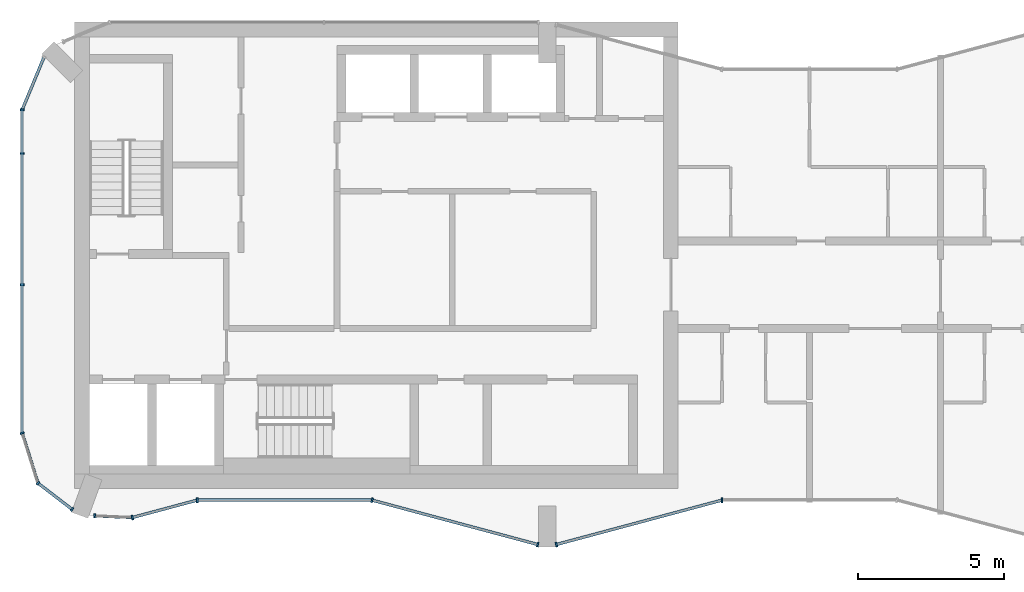
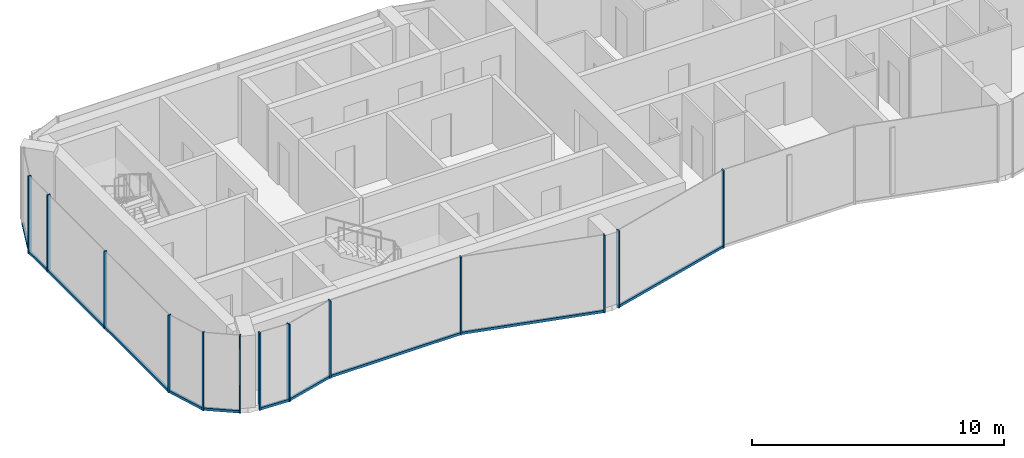
# One storey, part 2 of 9: 22 members, 10 elements without a shape of their own.
"""IFC4 building model written with IfcOpenShell, lengths in metres."""

from ifc_helpers import new_model, si_unit, direction, frame, origin, origin_2d, place, context, subcontext, project, spatial, rectangle, extrude, material, layer, layer_set, material_profile, profile_set, type_object, element, aggregate, save


model = new_model("IFC4")

# Units and contexts
model_context = context("Model", 3, precision=1e-05, world=origin(), true_north=direction((0.0, 1.0)))
body_context = subcontext(model_context, "Body", "Model", "MODEL_VIEW")
ifc_project = project(units=[si_unit("LENGTHUNIT", "METRE"), si_unit("AREAUNIT", "SQUARE_METRE"), si_unit("VOLUMEUNIT", "CUBIC_METRE"), si_unit("PLANEANGLEUNIT", "RADIAN"), si_unit("MASSUNIT", "GRAM", prefix="KILO")], contexts=[model_context])

# Site, building, storey
site_placement = place(None, origin())
site = spatial("IfcSite", under=ifc_project, at=site_placement, CompositionType="ELEMENT")
building_placement = place(site_placement, origin())
building = spatial("IfcBuilding", under=site, at=building_placement, Name="Plateau Cross Towers", CompositionType="ELEMENT")
storey_placement = place(building_placement, frame((0.0, 0.0, 232.89990234375)))
storey = spatial("IfcBuildingStorey", under=building, at=storey_placement, Name="L61", CompositionType="ELEMENT", Elevation=232.89990234375)

# Curtain wall, members
ifc_material_1 = material(Name="Dark low-iron glass", Category="glass")
ifc_layer_1 = layer(ifc_material_1, 0.239990234375)
ifc_layer_set_1 = layer_set([ifc_layer_1], Name="Dark low-iron glass")
curtain_wall_type_1 = type_object("IfcCurtainWallType", Name="Curtain wall flush unitised CW-B", PredefinedType="NOTDEFINED", material=ifc_layer_set_1)
curtain_wall_1_placement = place(storey_placement, origin())
curtain_wall_1 = element("IfcCurtainWall", 1, at=curtain_wall_1_placement, inside=storey, type_object=curtain_wall_type_1, Name="ENV/A/L61/A0_150", PredefinedType="NOTDEFINED")
ifc_material_2 = material(Name="Black anodised aluminium", Category="aluminium")
ifc_material_profile_1 = material_profile(ifc_material_2, rectangle(XDim=0.06005859375, YDim=0.139892578125, at=origin_2d()), Name="MULLION 60x140")
ifc_profile_set_1 = profile_set([ifc_material_profile_1], Name="Black anodised aluminium")
member_type_1 = type_object("IfcMemberType", Name="Mullion 60x140 flush unitised", PredefinedType="MULLION", material=ifc_profile_set_1)
member_1_placement = place(storey_placement, frame((0.0, 15.0, -0.25), z_axis=(0.0, 0.0, 1.0), x_axis=(0.0, -1.0, 0.0)))
member_1 = element("IfcMember", 2, at=member_1_placement, type_object=member_type_1, Name="CW-B mullion 1", PredefinedType="MULLION", context=body_context, shape_type="SweptSolid", body=[
    extrude(rectangle(XDim=0.06005859375, YDim=0.139892578125, at=origin_2d()), origin(), (0.0, 0.0, 1.0), 3.75),
])
member_2_placement = place(storey_placement, frame((0.0, 13.5, -0.25), z_axis=(0.0, 0.0, 1.0), x_axis=(0.0, -1.0, 0.0)))
member_2 = element("IfcMember", 3, at=member_2_placement, type_object=member_type_1, Name="CW-B mullion 2", PredefinedType="MULLION", context=body_context, shape_type="SweptSolid", body=[
    extrude(rectangle(XDim=0.06005859375, YDim=0.139892578125, at=origin_2d()), origin(), (0.0, 0.0, 1.0), 3.75),
])
member_3_placement = place(storey_placement, frame((0.0, 9.0, -0.25), z_axis=(0.0, 0.0, 1.0), x_axis=(0.0, -1.0, 0.0)))
member_3 = element("IfcMember", 4, at=member_3_placement, type_object=member_type_1, Name="CW-B mullion 3", PredefinedType="MULLION", context=body_context, shape_type="SweptSolid", body=[
    extrude(rectangle(XDim=0.06005859375, YDim=0.139892578125, at=origin_2d()), origin(), (0.0, 0.0, 1.0), 3.75),
])

# Curtain wall, member
curtain_wall_2_placement = place(storey_placement, origin())
curtain_wall_2 = element("IfcCurtainWall", 5, at=curtain_wall_2_placement, inside=storey, type_object=curtain_wall_type_1, Name="ENV/A/L61/A0_39", PredefinedType="NOTDEFINED")
member_4_placement = place(storey_placement, frame((0.0, 3.9091796875, -0.25), z_axis=(0.0, 0.0, 1.0), x_axis=(0.300686174994, -0.95372313811, 0.0)))
member_4 = element("IfcMember", 6, at=member_4_placement, type_object=member_type_1, Name="CW-B mullion 1", PredefinedType="MULLION", context=body_context, shape_type="SweptSolid", body=[
    extrude(rectangle(XDim=0.06005859375, YDim=0.139892578125, at=origin_2d()), origin(), (0.0, 0.0, 1.0), 3.75),
])

# Curtain wall, members
curtain_wall_3_placement = place(storey_placement, origin())
curtain_wall_3 = element("IfcCurtainWall", 7, at=curtain_wall_3_placement, inside=storey, type_object=curtain_wall_type_1, Name="ENV/A/L61/A5_22", PredefinedType="NOTDEFINED")
member_5_placement = place(storey_placement, frame((0.54248046875, 2.1884765625, -0.25), z_axis=(0.0, 0.0, 1.0), x_axis=(0.793315514529, -0.608810721331, 0.0)))
member_5 = element("IfcMember", 8, at=member_5_placement, type_object=member_type_1, Name="CW-B mullion 1", PredefinedType="MULLION", context=body_context, shape_type="SweptSolid", body=[
    extrude(rectangle(XDim=0.06005859375, YDim=0.139892578125, at=origin_2d()), origin(), (0.0, 0.0, 1.0), 3.75),
])
member_6_placement = place(storey_placement, frame((1.709716796875, 1.292724609375, -0.25), z_axis=(0.0, 0.0, 1.0), x_axis=(0.793315514529, -0.608810721331, 0.0)))
member_6 = element("IfcMember", 9, at=member_6_placement, type_object=member_type_1, Name="CW-B mullion 2", PredefinedType="MULLION", context=body_context, shape_type="SweptSolid", body=[
    extrude(rectangle(XDim=0.06005859375, YDim=0.139892578125, at=origin_2d()), origin(), (0.0, 0.0, 1.0), 3.75),
])

# Curtain wall, member
curtain_wall_4_placement = place(storey_placement, origin())
curtain_wall_4 = element("IfcCurtainWall", 10, at=curtain_wall_4_placement, inside=storey, type_object=curtain_wall_type_1, Name="ENV/A/L61/A25_11", PredefinedType="NOTDEFINED")
member_7_placement = place(storey_placement, frame((2.483642578125, 1.06787109375, -0.25), z_axis=(0.0, 0.0, 1.0), x_axis=(0.999043701491, -0.043722791671, 0.0)))
member_7 = element("IfcMember", 11, at=member_7_placement, type_object=member_type_1, Name="CW-B mullion 1", PredefinedType="MULLION", context=body_context, shape_type="SweptSolid", body=[
    extrude(rectangle(XDim=0.06005859375, YDim=0.139892578125, at=origin_2d()), origin(), (0.0, 0.0, 1.0), 3.75),
])

ifc_layer_2 = layer(ifc_material_1, 0.260009765625)
ifc_layer_set_2 = layer_set([ifc_layer_2], Name="Dark low-iron glass")
curtain_wall_type_2 = type_object("IfcCurtainWallType", Name="Curtain wall fluted unitised CW-A", PredefinedType="NOTDEFINED", material=ifc_layer_set_2)
curtain_wall_5_placement = place(storey_placement, origin())
curtain_wall_5 = element("IfcCurtainWall", 12, at=curtain_wall_5_placement, inside=storey, type_object=curtain_wall_type_2, Name="ENV/A/L61/A38_10", PredefinedType="NOTDEFINED")
ifc_material_profile_2 = material_profile(ifc_material_2, rectangle(XDim=0.06005859375, YDim=0.159912109375, at=origin_2d()), Name="MULLION 60x160")
ifc_profile_set_2 = profile_set([ifc_material_profile_2], Name="Black anodised aluminium")
member_type_2 = type_object("IfcMemberType", Name="Mullion 60x160 fluted unitised", PredefinedType="MULLION", material=ifc_profile_set_2)
member_8_placement = place(storey_placement, frame((3.776123046875, 1.01123046875, -0.25), z_axis=(0.0, 0.0, 1.0), x_axis=(0.965957962328, 0.258699081978, 0.0)))
member_8 = element("IfcMember", 13, at=member_8_placement, type_object=member_type_2, Name="CW-A mullion 1", PredefinedType="MULLION", context=body_context, shape_type="SweptSolid", body=[
    extrude(rectangle(XDim=0.06005859375, YDim=0.159912109375, at=origin_2d()), origin(), (0.0, 0.0, 1.0), 3.75),
])

curtain_wall_6_placement = place(storey_placement, origin())
curtain_wall_6 = element("IfcCurtainWall", 14, at=curtain_wall_6_placement, inside=storey, type_object=curtain_wall_type_2, Name="ENV/A/L61/A60_16", PredefinedType="NOTDEFINED")
member_9_placement = place(storey_placement, frame((6.0, 1.60693359375, -0.25), z_axis=(0.0, 0.0, 1.0), x_axis=(1.0, 0.0, 0.0)))
member_9 = element("IfcMember", 15, at=member_9_placement, type_object=member_type_2, Name="CW-A mullion 1", PredefinedType="MULLION", context=body_context, shape_type="SweptSolid", body=[
    extrude(rectangle(XDim=0.06005859375, YDim=0.159912109375, at=origin_2d()), origin(), (0.0, 0.0, 1.0), 3.75),
])

# Curtain wall, members
curtain_wall_7_placement = place(storey_placement, origin())
curtain_wall_7 = element("IfcCurtainWall", 16, at=curtain_wall_7_placement, inside=storey, type_object=curtain_wall_type_2, Name="ENV/A/L61/A120_16", PredefinedType="NOTDEFINED")
member_10_placement = place(storey_placement, frame((12.0, 1.60693359375, -0.25), z_axis=(0.0, 0.0, 1.0), x_axis=(0.965957983404, -0.258699003279, 0.0)))
member_10 = element("IfcMember", 17, at=member_10_placement, type_object=member_type_2, Name="CW-A mullion 1", PredefinedType="MULLION", context=body_context, shape_type="SweptSolid", body=[
    extrude(rectangle(XDim=0.06005859375, YDim=0.159912109375, at=origin_2d()), origin(), (0.0, 0.0, 1.0), 3.75),
])
member_11_placement = place(storey_placement, frame((17.68212890625, 0.085205078125, -0.25), z_axis=(0.0, 0.0, 1.0), x_axis=(0.965957983404, -0.258699003279, 0.0)))
member_11 = element("IfcMember", 18, at=member_11_placement, type_object=member_type_2, Name="CW-A mullion 2", PredefinedType="MULLION", context=body_context, shape_type="SweptSolid", body=[
    extrude(rectangle(XDim=0.06005859375, YDim=0.159912109375, at=origin_2d()), origin(), (0.0, 0.0, 1.0), 3.75),
])

# Curtain wall, member
curtain_wall_8_placement = place(storey_placement, origin())
curtain_wall_8 = element("IfcCurtainWall", 19, at=curtain_wall_8_placement, inside=storey, type_object=curtain_wall_type_2, Name="ENV/A/L61/A183_1", PredefinedType="NOTDEFINED")
member_12_placement = place(storey_placement, frame((18.31787109375, 0.085205078125, -0.25), z_axis=(0.0, 0.0, 1.0), x_axis=(0.965957983404, 0.258699003279, 0.0)))
member_12 = element("IfcMember", 20, at=member_12_placement, type_object=member_type_2, Name="CW-A mullion 1", PredefinedType="MULLION", context=body_context, shape_type="SweptSolid", body=[
    extrude(rectangle(XDim=0.06005859375, YDim=0.159912109375, at=origin_2d()), origin(), (0.0, 0.0, 1.0), 3.75),
])

curtain_wall_9_placement = place(storey_placement, origin())
curtain_wall_9 = element("IfcCurtainWall", 21, at=curtain_wall_9_placement, inside=storey, type_object=curtain_wall_type_2, Name="ENV/A/L61/A240_16", PredefinedType="NOTDEFINED")
member_13_placement = place(storey_placement, frame((24.0, 1.60693359375, -0.25), z_axis=(0.0, 0.0, 1.0), x_axis=(1.0, 0.0, 0.0)))
member_13 = element("IfcMember", 22, at=member_13_placement, type_object=member_type_2, Name="CW-A mullion 1", PredefinedType="MULLION", context=body_context, shape_type="SweptSolid", body=[
    extrude(rectangle(XDim=0.06005859375, YDim=0.159912109375, at=origin_2d()), origin(), (0.0, 0.0, 1.0), 3.75),
])
aggregate(curtain_wall_9, [member_13])

curtain_wall_10_placement = place(storey_placement, origin())
curtain_wall_10 = element("IfcCurtainWall", 23, at=curtain_wall_10_placement, inside=storey, type_object=curtain_wall_type_1, Name="ENV/A/L61/A7_168", PredefinedType="NOTDEFINED")
ifc_material_profile_3 = material_profile(ifc_material_2, rectangle(XDim=0.10009765625, YDim=0.1201171875, at=origin_2d()), Name="TRANSOM 100x120")
ifc_profile_set_3 = profile_set([ifc_material_profile_3], Name="Black anodised aluminium")
member_type_3 = type_object("IfcMemberType", Name="Transom 100x120 flush unitised", PredefinedType="USERDEFINED", material=ifc_profile_set_3)
member_14_placement = place(storey_placement, frame((0.748046875, 16.805908203125, -0.18994140625), z_axis=(-0.382690071798, -0.92387678234, 0.0), x_axis=(0.92387678234, -0.382690071798, 0.0)))
member_14 = element("IfcMember", 24, at=member_14_placement, type_object=member_type_3, Name="CW-B transom", ObjectType="TRANSOM", PredefinedType="USERDEFINED", context=body_context, shape_type="SweptSolid", body=[
    extrude(rectangle(XDim=0.10009765625, YDim=0.1201171875, at=origin_2d()), origin(), (0.0, 0.0, 1.0), 1.95458984375),
])
aggregate(curtain_wall_10, [member_14])

# Member
member_15_placement = place(storey_placement, frame((0.0, 15.0, -0.18994140625), z_axis=(0.0, -1.0, 0.0), x_axis=(1.0, 0.0, 0.0)))
member_15 = element("IfcMember", 25, at=member_15_placement, type_object=member_type_3, Name="CW-B transom", ObjectType="TRANSOM", PredefinedType="USERDEFINED", context=body_context, shape_type="SweptSolid", body=[
    extrude(rectangle(XDim=0.10009765625, YDim=0.1201171875, at=origin_2d()), origin(), (0.0, 0.0, 1.0), 11.0908203125),
])

aggregate(curtain_wall_1, [member_1, member_2, member_3, member_15])

member_16_placement = place(storey_placement, frame((0.0, 3.9091796875, -0.18994140625), z_axis=(0.30067799945, -0.953725715626, 0.0), x_axis=(0.953725715626, 0.30067799945, 0.0)))
member_16 = element("IfcMember", 26, at=member_16_placement, type_object=member_type_3, Name="CW-B transom", ObjectType="TRANSOM", PredefinedType="USERDEFINED", context=body_context, shape_type="SweptSolid", body=[
    extrude(rectangle(XDim=0.10009765625, YDim=0.1201171875, at=origin_2d()), origin(), (0.0, 0.0, 1.0), 1.80419921875),
])

aggregate(curtain_wall_2, [member_4, member_16])

member_17_placement = place(storey_placement, frame((0.54248046875, 2.1884765625, -0.18994140625), z_axis=(0.793320508571, -0.608804213751, 0.0), x_axis=(0.608804213751, 0.793320508571, 0.0)))
member_17 = element("IfcMember", 27, at=member_17_placement, type_object=member_type_3, Name="CW-B transom", ObjectType="TRANSOM", PredefinedType="USERDEFINED", context=body_context, shape_type="SweptSolid", body=[
    extrude(rectangle(XDim=0.10009765625, YDim=0.1201171875, at=origin_2d()), origin(), (0.0, 0.0, 1.0), 1.471435546875),
])

aggregate(curtain_wall_3, [member_5, member_6, member_17])

member_18_placement = place(storey_placement, frame((2.483642578125, 1.06787109375, -0.18994140625), z_axis=(0.999041144614, -0.043781175963, 0.0), x_axis=(0.043781175963, 0.999041144614, 0.0)))
member_18 = element("IfcMember", 28, at=member_18_placement, type_object=member_type_3, Name="CW-B transom", ObjectType="TRANSOM", PredefinedType="USERDEFINED", context=body_context, shape_type="SweptSolid", body=[
    extrude(rectangle(XDim=0.10009765625, YDim=0.1201171875, at=origin_2d()), origin(), (0.0, 0.0, 1.0), 1.293701171875),
])

aggregate(curtain_wall_4, [member_7, member_18])

ifc_material_profile_4 = material_profile(ifc_material_2, rectangle(XDim=0.10009765625, YDim=0.1201171875, at=origin_2d()), Name="TRANSOM 100x120")
ifc_profile_set_4 = profile_set([ifc_material_profile_4], Name="Black anodised aluminium")
member_type_4 = type_object("IfcMemberType", Name="Transom 100x120 fluted unitised", PredefinedType="USERDEFINED", material=ifc_profile_set_4)
member_19_placement = place(storey_placement, frame((3.776123046875, 1.01123046875, -0.18994140625), z_axis=(0.965945685136, 0.258744919501, 0.0), x_axis=(-0.258744919501, 0.965945685136, 0.0)))
member_19 = element("IfcMember", 29, at=member_19_placement, type_object=member_type_4, Name="CW-A transom", ObjectType="TRANSOM", PredefinedType="USERDEFINED", context=body_context, shape_type="SweptSolid", body=[
    extrude(rectangle(XDim=0.10009765625, YDim=0.1201171875, at=origin_2d()), origin(), (0.0, 0.0, 1.0), 2.30224609375),
])

aggregate(curtain_wall_5, [member_8, member_19])

member_20_placement = place(storey_placement, frame((6.0, 1.60693359375, -0.18994140625), z_axis=(1.0, 0.0, 0.0), x_axis=(0.0, 1.0, 0.0)))
member_20 = element("IfcMember", 30, at=member_20_placement, type_object=member_type_4, Name="CW-A transom", ObjectType="TRANSOM", PredefinedType="USERDEFINED", context=body_context, shape_type="SweptSolid", body=[
    extrude(rectangle(XDim=0.10009765625, YDim=0.1201171875, at=origin_2d()), origin(), (0.0, 0.0, 1.0), 6.0),
])

aggregate(curtain_wall_6, [member_9, member_20])

member_21_placement = place(storey_placement, frame((12.0, 1.60693359375, -0.18994140625), z_axis=(0.965959534794, -0.258693210465, 0.0), x_axis=(0.258693210465, 0.965959534794, 0.0)))
member_21 = element("IfcMember", 31, at=member_21_placement, type_object=member_type_4, Name="CW-A transom", ObjectType="TRANSOM", PredefinedType="USERDEFINED", context=body_context, shape_type="SweptSolid", body=[
    extrude(rectangle(XDim=0.10009765625, YDim=0.1201171875, at=origin_2d()), origin(), (0.0, 0.0, 1.0), 5.88232421875),
])

aggregate(curtain_wall_7, [member_10, member_11, member_21])

member_22_placement = place(storey_placement, frame((18.31787109375, 0.085205078125, -0.18994140625), z_axis=(0.965959534794, 0.258693210465, 0.0), x_axis=(-0.258693210465, 0.965959534794, 0.0)))
member_22 = element("IfcMember", 32, at=member_22_placement, type_object=member_type_4, Name="CW-A transom", ObjectType="TRANSOM", PredefinedType="USERDEFINED", context=body_context, shape_type="SweptSolid", body=[
    extrude(rectangle(XDim=0.10009765625, YDim=0.1201171875, at=origin_2d()), origin(), (0.0, 0.0, 1.0), 5.88232421875),
])

aggregate(curtain_wall_8, [member_12, member_22])

save(model, "model.ifc")
